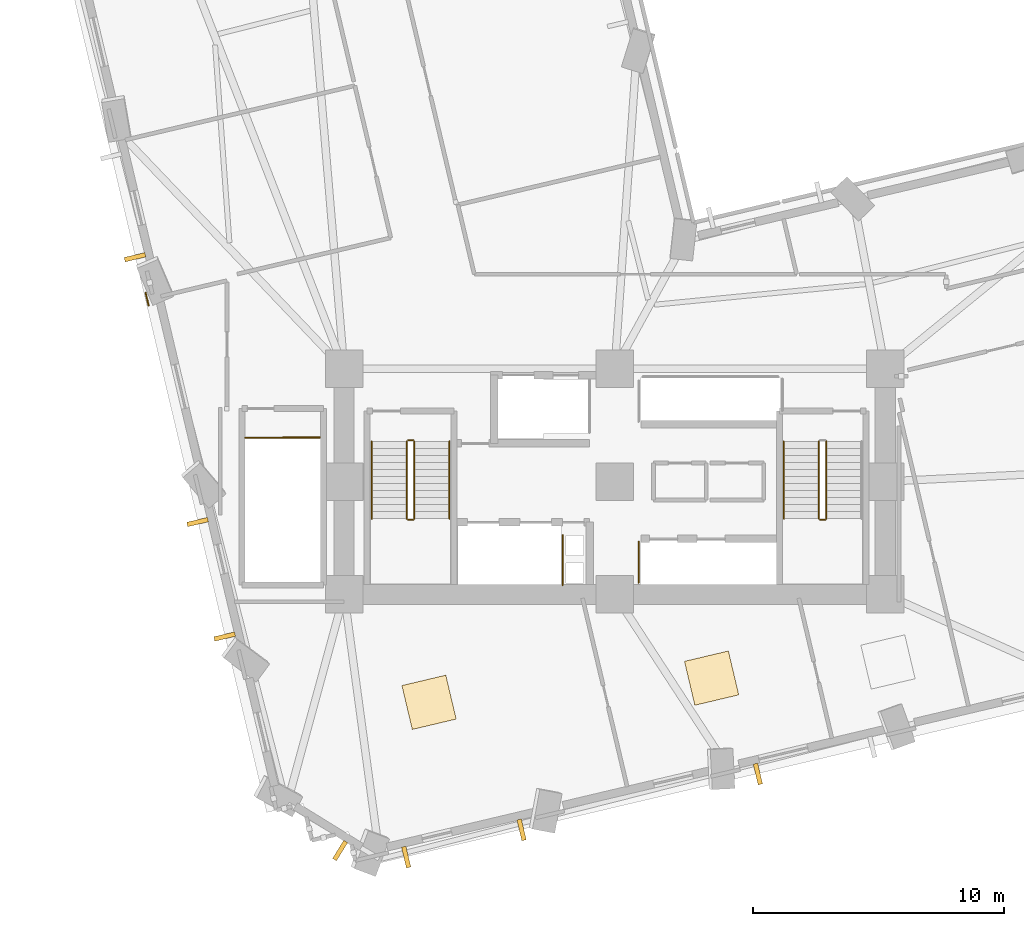
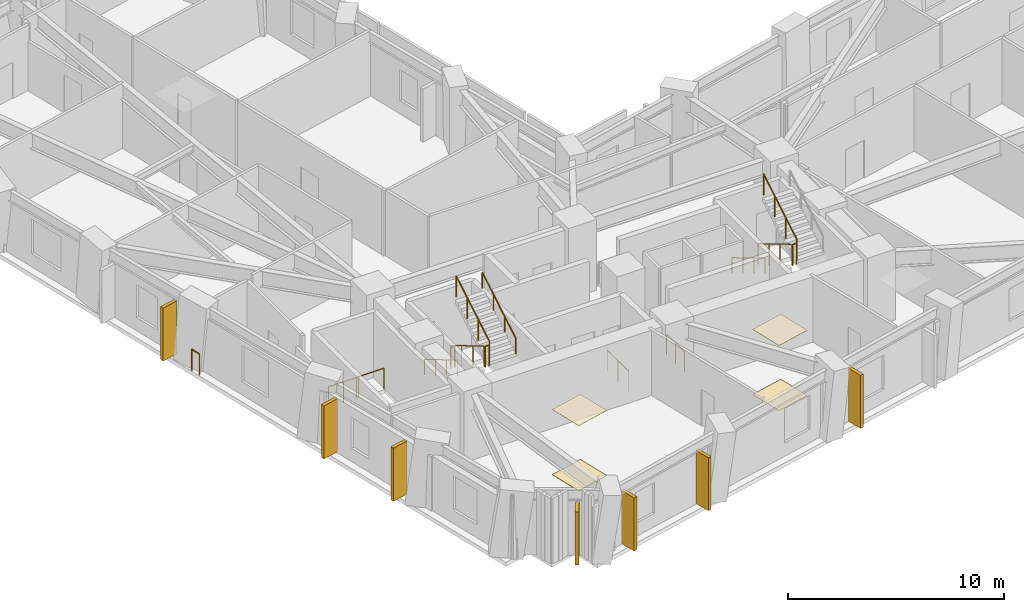
# One storey, part 11 of 14: 15 railings, 7 shading devices, 4 coverings.
"""IFC4 building model written with IfcOpenShell, lengths in metres."""

from ifc_helpers import new_model, si_unit, direction, frame, origin, origin_2d, place, context, subcontext, project, spatial, rectangle, circle, extrude, material, layer, layer_set, type_object, element, save


model = new_model("IFC4")

# Units and contexts
model_context = context("Model", 3, precision=1e-05, world=origin(), true_north=direction((0.0, 1.0)))
body_context = subcontext(model_context, "Body", "Model", "MODEL_VIEW")
ifc_project = project(units=[si_unit("LENGTHUNIT", "METRE"), si_unit("AREAUNIT", "SQUARE_METRE"), si_unit("VOLUMEUNIT", "CUBIC_METRE"), si_unit("PLANEANGLEUNIT", "RADIAN"), si_unit("MASSUNIT", "GRAM", prefix="KILO")], contexts=[model_context])

# Site, building, storey
site_placement = place(None, origin())
site = spatial("IfcSite", under=ifc_project, at=site_placement, CompositionType="ELEMENT")
building_placement = place(site_placement, origin())
building = spatial("IfcBuilding", under=site, at=building_placement, Name="Gaonmaruhae Medical Tower", CompositionType="ELEMENT")
storey_placement = place(building_placement, frame((0.0, 0.0, 79.0)))
storey = spatial("IfcBuildingStorey", under=building, at=storey_placement, Name="L18", CompositionType="ELEMENT", Elevation=79.0)

# Coverings
ifc_material_1 = material(Name="Acoustic mineral ceiling tile", Category="finish")
ifc_layer_1 = layer(ifc_material_1, 0.02490234375)
ifc_layer_set_1 = layer_set([ifc_layer_1], Name="Acoustic mineral ceiling tile")
covering_type_1 = type_object("IfcCoveringType", Name="CLG-01 Antimicrobial Acoustic Mineral Ceiling", PredefinedType="CEILING", material=ifc_layer_set_1)
for number, where, z_axis, x_axis, name in (
    (1, (17.38818359375, 3.4873046875, 3.675048828125), (0.0, 0.0, 1.0), (0.973178872777, 0.230049737188, 0.0), "L18 Clinical Room Acoustic Ceiling 2"),
    (2, (28.66845703125, 4.45361328125, 3.675048828125), (0.0, 0.0, 1.0), (0.973178872777, 0.230049737188, 0.0), "L18 Clinical Room Acoustic Ceiling 3"),
):
    element("IfcCovering", number, at=place(storey_placement, frame(where, z_axis=z_axis, x_axis=x_axis)), inside=storey, type_object=covering_type_1, Name=name, PredefinedType="CEILING", context=body_context, shape_type="SweptSolid", body=[
        extrude(rectangle(XDim=1.800048828125, YDim=1.800048828125, at=origin_2d()), origin(), (0.0, 0.0, 1.0), 0.02490234375),
    ])
ifc_material_2 = material(Name="Seamless clinical vinyl flooring", Category="finish")
ifc_layer_2 = layer(ifc_material_2, 0.014892578125)
ifc_layer_set_2 = layer_set([ifc_layer_2], Name="Seamless clinical vinyl flooring")
covering_type_2 = type_object("IfcCoveringType", Name="FLR-01 Seamless Clinical Antistatic Vinyl Flooring", PredefinedType="FLOORING", material=ifc_layer_set_2)
for number, where, z_axis, x_axis, name in (
    (3, (17.38818359375, 3.4873046875, 0.0), (0.0, 0.0, 1.0), (0.973178872777, 0.230049737188, 0.0), "L18 Clinical Room Vinyl Flooring 2"),
    (4, (28.66845703125, 4.45361328125, 0.0), (0.0, 0.0, 1.0), (0.973178872777, 0.230049737188, 0.0), "L18 Clinical Room Vinyl Flooring 3"),
):
    element("IfcCovering", number, at=place(storey_placement, frame(where, z_axis=z_axis, x_axis=x_axis)), inside=storey, type_object=covering_type_2, Name=name, PredefinedType="FLOORING", context=body_context, shape_type="SweptSolid", body=[
        extrude(rectangle(XDim=1.800048828125, YDim=1.800048828125, at=origin_2d()), origin(), (0.0, 0.0, 1.0), 0.014892578125),
    ])

# Railings
ifc_material_3 = material(Name="Stainless steel 316L and laminated safety glass", Category="steel")
ifc_layer_3 = layer(ifc_material_3, 0.080078125)
ifc_layer_set_3 = layer_set([ifc_layer_3], Name="Stainless steel 316L and laminated safety glass")
railing_type_1 = type_object("IfcRailingType", Name="GD-120 Outdoor Terrace Safety Glass & Steel Balustrade", PredefinedType="BALUSTRADE", material=ifc_layer_set_3)
railing_1_placement = place(storey_placement, frame((6.193603515625, 19.328857421875, 0.0)))
element("IfcRailing", 5, at=railing_1_placement, inside=storey, type_object=railing_type_1, Name="L18 Perimeter Slab Edge Safety Balustrade 01", PredefinedType="BALUSTRADE", context=body_context, shape_type="SweptSolid", body=[
    extrude(circle(Radius=0.02392578125, at=origin_2d()), frame((0.0, 0.0, 1.17578125), z_axis=(-0.230138679202, 0.973157843484, 0.0), x_axis=(-0.973157843484, -0.230138679202, 0.0)), (0.0, 0.0, 1.0), 0.519775390625),
    extrude(circle(Radius=0.02099609375, at=origin_2d()), origin(), (0.0, 0.0, 1.0), 1.15185546875),
    extrude(circle(Radius=0.02099609375, at=origin_2d()), frame((-0.11962890625, 0.505859375, 0.0)), (0.0, 0.0, 1.0), 1.15185546875),
])
ifc_material_4 = material(Name="Stainless steel 304 handrail", Category="steel")
railing_type_2 = type_object("IfcRailingType", Name="HR-092 Continuous Stainless Steel Stair Handrail", PredefinedType="HANDRAIL", material=ifc_material_4)
railing_2_placement = place(storey_placement, frame((15.10009765625, 13.89990234375, 0.166748046875)))
element("IfcRailing", 6, at=railing_2_placement, inside=storey, type_object=railing_type_2, Name="L18 ST-01 stair handrail 1", PredefinedType="HANDRAIL", context=body_context, shape_type="SweptSolid", body=[
    extrude(circle(Radius=0.02392578125, at=origin_2d()), frame((0.0, 0.0, 0.8759765625), z_axis=(0.0, -0.859290745958, 0.51148745235), x_axis=(1.0, 0.0, 0.0)), (0.0, 0.0, 1.0), 3.584228515625),
    extrude(circle(Radius=0.02099609375, at=origin_2d()), origin(), (0.0, 0.0, 1.0), 0.851806640625),
    extrude(circle(Radius=0.02099609375, at=origin_2d()), frame((0.0, -1.026611328125, 0.611083984375)), (0.0, 0.0, 1.0), 0.851806640625),
    extrude(circle(Radius=0.02099609375, at=origin_2d()), frame((0.0, -2.05322265625, 1.22216796875)), (0.0, 0.0, 1.0), 0.851806640625),
    extrude(circle(Radius=0.02099609375, at=origin_2d()), frame((0.0, -3.079833984375, 1.833251953125)), (0.0, 0.0, 1.0), 0.851806640625),
])
railing_3_placement = place(storey_placement, frame((18.199951171875, 10.820068359375, 2.166748046875)))
element("IfcRailing", 7, at=railing_3_placement, inside=storey, type_object=railing_type_2, Name="L18 ST-01 stair handrail 2", PredefinedType="HANDRAIL", context=body_context, shape_type="SweptSolid", body=[
    extrude(circle(Radius=0.02392578125, at=origin_2d()), frame((0.0, 0.0, 0.8759765625), z_axis=(0.0, 0.859290745958, 0.51148745235), x_axis=(-1.0, 0.0, 0.0)), (0.0, 0.0, 1.0), 3.584228515625),
    extrude(circle(Radius=0.02099609375, at=origin_2d()), origin(), (0.0, 0.0, 1.0), 0.851806640625),
    extrude(circle(Radius=0.02099609375, at=origin_2d()), frame((0.0, 1.026611328125, 0.611083984375)), (0.0, 0.0, 1.0), 0.851806640625),
    extrude(circle(Radius=0.02099609375, at=origin_2d()), frame((0.0, 2.05322265625, 1.22216796875)), (0.0, 0.0, 1.0), 0.851806640625),
    extrude(circle(Radius=0.02099609375, at=origin_2d()), frame((0.0, 3.079833984375, 1.833251953125)), (0.0, 0.0, 1.0), 0.851806640625),
])
railing_4_placement = place(storey_placement, frame((31.550048828125, 13.89990234375, 0.166748046875)))
element("IfcRailing", 8, at=railing_4_placement, inside=storey, type_object=railing_type_2, Name="L18 ST-02 stair handrail 1", PredefinedType="HANDRAIL", context=body_context, shape_type="SweptSolid", body=[
    extrude(circle(Radius=0.02392578125, at=origin_2d()), frame((0.0, 0.0, 0.8759765625), z_axis=(0.0, -0.859290745958, 0.51148745235), x_axis=(1.0, 0.0, 0.0)), (0.0, 0.0, 1.0), 3.584228515625),
    extrude(circle(Radius=0.02099609375, at=origin_2d()), origin(), (0.0, 0.0, 1.0), 0.851806640625),
    extrude(circle(Radius=0.02099609375, at=origin_2d()), frame((0.0, -1.026611328125, 0.611083984375)), (0.0, 0.0, 1.0), 0.851806640625),
    extrude(circle(Radius=0.02099609375, at=origin_2d()), frame((0.0, -2.05322265625, 1.22216796875)), (0.0, 0.0, 1.0), 0.851806640625),
    extrude(circle(Radius=0.02099609375, at=origin_2d()), frame((0.0, -3.079833984375, 1.833251953125)), (0.0, 0.0, 1.0), 0.851806640625),
])

# Shading devices
ifc_material_5 = material(Name="Pigmented coral precast concrete C45/55", Category="concrete")
shading_device_type = type_object("IfcShadingDeviceType", Name="SD-FIN1 Tower Vertical Coral Precast Shading Fin", PredefinedType="USERDEFINED", material=ifc_material_5)
for number, where, z_axis, x_axis, name in (
    (9, (21.08251953125, -1.602783203125, 0.04248046875), (0.0, 0.0, 1.0), (-0.973178872777, -0.230049737188, 0.0), "L18 Vertical Coral Precast Shading Fin S01"),
    (10, (16.47509765625, -2.69189453125, 0.04248046875), (0.0, 0.0, 1.0), (-0.973178872777, -0.230049737188, 0.0), "L18 Vertical Coral Precast Shading Fin S01B"),
    (11, (30.515625, 0.627197265625, 0.04248046875), (0.0, 0.0, 1.0), (-0.973174857504, -0.230066722329, 0.0), "L18 Vertical Coral Precast Shading Fin S03B"),
    (12, (5.65087890625, 21.25537109375, 0.04248046875), (0.0, 0.0, 1.0), (-0.230049737188, 0.973178872777, 0.0), "L18 Vertical Coral Precast Shading Fin W03"),
    (13, (9.230224609375, 6.11279296875, 0.04248046875), (0.0, 0.0, 1.0), (-0.230049737188, 0.973178872777, 0.0), "L18 Vertical Coral Precast Shading Fin W05"),
    (14, (8.14990234375, 10.68408203125, 0.04248046875), (0.0, 0.0, 1.0), (-0.230049737188, 0.973178872777, 0.0), "L18 Vertical Coral Precast Shading Fin W05B"),
    (15, (13.8388671875, -2.429931640625, 0.04248046875), (0.0, 0.0, 1.0), (-0.850811109424, 0.525471651072, 0.0), "L18 Vertical Coral Precast Shading Fin W07"),
):
    element("IfcShadingDevice", number, at=place(storey_placement, frame(where, z_axis=z_axis, x_axis=x_axis)), inside=storey, type_object=shading_device_type, Name=name, ObjectType="FIN", PredefinedType="USERDEFINED", context=body_context, shape_type="SweptSolid", body=[
        extrude(rectangle(XDim=0.179931640625, YDim=0.85009765625, at=origin_2d()), origin(), (0.0, 0.0, 1.0), 3.0),
    ])

# Railings
ifc_material_6 = material(Name="Stainless steel 304 balustrade", Category="steel")
railing_type_3 = type_object("IfcRailingType", Name="SG-112 Stair Well & Ramp Void Safety Balustrade", PredefinedType="BALUSTRADE", material=ifc_material_6)
railing_5_placement = place(storey_placement, frame((16.5, 13.89990234375, 0.166748046875)))
element("IfcRailing", 16, at=railing_5_placement, inside=storey, type_object=railing_type_3, Name="L18 ST-01 stair guard 1", PredefinedType="BALUSTRADE", context=body_context, shape_type="SweptSolid", body=[
    extrude(circle(Radius=0.02392578125, at=origin_2d()), frame((0.0, 0.0, 1.17578125), z_axis=(0.0, -0.859290745958, 0.51148745235), x_axis=(1.0, 0.0, 0.0)), (0.0, 0.0, 1.0), 3.584228515625),
    extrude(circle(Radius=0.02099609375, at=origin_2d()), origin(), (0.0, 0.0, 1.0), 1.15185546875),
    extrude(circle(Radius=0.02099609375, at=origin_2d()), frame((0.0, -1.026611328125, 0.611083984375)), (0.0, 0.0, 1.0), 1.15185546875),
    extrude(circle(Radius=0.02099609375, at=origin_2d()), frame((0.0, -2.05322265625, 1.22216796875)), (0.0, 0.0, 1.0), 1.15185546875),
    extrude(circle(Radius=0.02099609375, at=origin_2d()), frame((0.0, -3.079833984375, 1.833251953125)), (0.0, 0.0, 1.0), 1.15185546875),
])
railing_6_placement = place(storey_placement, frame((16.550048828125, 10.77001953125, 2.0)))
element("IfcRailing", 17, at=railing_6_placement, inside=storey, type_object=railing_type_3, Name="L18 ST-01 stair guard 2", PredefinedType="BALUSTRADE", context=body_context, shape_type="SweptSolid", body=[
    extrude(circle(Radius=0.02392578125, at=origin_2d()), frame((0.0, 0.0, 1.17578125), z_axis=(1.0, 0.0, 0.0), x_axis=(0.0, 1.0, 0.0)), (0.0, 0.0, 1.0), 0.199951171875),
    extrude(circle(Radius=0.02099609375, at=origin_2d()), origin(), (0.0, 0.0, 1.0), 1.15185546875),
    extrude(circle(Radius=0.02099609375, at=origin_2d()), frame((0.199951171875, 0.0, 0.0)), (0.0, 0.0, 1.0), 1.15185546875),
])
railing_7_placement = place(storey_placement, frame((16.800048828125, 10.820068359375, 2.166748046875)))
element("IfcRailing", 18, at=railing_7_placement, inside=storey, type_object=railing_type_3, Name="L18 ST-01 stair guard 3", PredefinedType="BALUSTRADE", context=body_context, shape_type="SweptSolid", body=[
    extrude(circle(Radius=0.02392578125, at=origin_2d()), frame((0.0, 0.0, 1.17578125), z_axis=(0.0, 0.859290745958, 0.51148745235), x_axis=(-1.0, 0.0, 0.0)), (0.0, 0.0, 1.0), 3.584228515625),
    extrude(circle(Radius=0.02099609375, at=origin_2d()), origin(), (0.0, 0.0, 1.0), 1.15185546875),
    extrude(circle(Radius=0.02099609375, at=origin_2d()), frame((0.0, 1.026611328125, 0.611083984375)), (0.0, 0.0, 1.0), 1.15185546875),
    extrude(circle(Radius=0.02099609375, at=origin_2d()), frame((0.0, 2.05322265625, 1.22216796875)), (0.0, 0.0, 1.0), 1.15185546875),
    extrude(circle(Radius=0.02099609375, at=origin_2d()), frame((0.0, 3.079833984375, 1.833251953125)), (0.0, 0.0, 1.0), 1.15185546875),
])
railing_8_placement = place(storey_placement, frame((16.550048828125, 13.949951171875, 0.0)))
element("IfcRailing", 19, at=railing_8_placement, inside=storey, type_object=railing_type_3, Name="L18 ST-01 stair guard 4", PredefinedType="BALUSTRADE", context=body_context, shape_type="SweptSolid", body=[
    extrude(circle(Radius=0.02392578125, at=origin_2d()), frame((0.0, 0.0, 1.17578125), z_axis=(1.0, 0.0, 0.0), x_axis=(0.0, 1.0, 0.0)), (0.0, 0.0, 1.0), 0.199951171875),
    extrude(circle(Radius=0.02099609375, at=origin_2d()), origin(), (0.0, 0.0, 1.0), 1.15185546875),
    extrude(circle(Radius=0.02099609375, at=origin_2d()), frame((0.199951171875, 0.0, 0.0)), (0.0, 0.0, 1.0), 1.15185546875),
])
railing_9_placement = place(storey_placement, frame((32.949951171875, 13.89990234375, 0.166748046875)))
element("IfcRailing", 20, at=railing_9_placement, inside=storey, type_object=railing_type_3, Name="L18 ST-02 stair guard 1", PredefinedType="BALUSTRADE", context=body_context, shape_type="SweptSolid", body=[
    extrude(circle(Radius=0.02392578125, at=origin_2d()), frame((0.0, 0.0, 1.17578125), z_axis=(0.0, -0.859290745958, 0.51148745235), x_axis=(1.0, 0.0, 0.0)), (0.0, 0.0, 1.0), 3.584228515625),
    extrude(circle(Radius=0.02099609375, at=origin_2d()), origin(), (0.0, 0.0, 1.0), 1.15185546875),
    extrude(circle(Radius=0.02099609375, at=origin_2d()), frame((0.0, -1.026611328125, 0.611083984375)), (0.0, 0.0, 1.0), 1.15185546875),
    extrude(circle(Radius=0.02099609375, at=origin_2d()), frame((0.0, -2.05322265625, 1.22216796875)), (0.0, 0.0, 1.0), 1.15185546875),
    extrude(circle(Radius=0.02099609375, at=origin_2d()), frame((0.0, -3.079833984375, 1.833251953125)), (0.0, 0.0, 1.0), 1.15185546875),
])
railing_10_placement = place(storey_placement, frame((33.0, 10.77001953125, 2.0)))
element("IfcRailing", 21, at=railing_10_placement, inside=storey, type_object=railing_type_3, Name="L18 ST-02 stair guard 2", PredefinedType="BALUSTRADE", context=body_context, shape_type="SweptSolid", body=[
    extrude(circle(Radius=0.02392578125, at=origin_2d()), frame((0.0, 0.0, 1.17578125), z_axis=(1.0, 0.0, 0.0), x_axis=(0.0, 1.0, 0.0)), (0.0, 0.0, 1.0), 0.199951171875),
    extrude(circle(Radius=0.02099609375, at=origin_2d()), origin(), (0.0, 0.0, 1.0), 1.15185546875),
    extrude(circle(Radius=0.02099609375, at=origin_2d()), frame((0.199951171875, 0.0, 0.0)), (0.0, 0.0, 1.0), 1.15185546875),
])
railing_11_placement = place(storey_placement, frame((33.25, 10.820068359375, 2.166748046875)))
element("IfcRailing", 22, at=railing_11_placement, inside=storey, type_object=railing_type_3, Name="L18 ST-02 stair guard 3", PredefinedType="BALUSTRADE", context=body_context, shape_type="SweptSolid", body=[
    extrude(circle(Radius=0.02392578125, at=origin_2d()), frame((0.0, 0.0, 1.17578125), z_axis=(0.0, 0.859290745958, 0.51148745235), x_axis=(-1.0, 0.0, 0.0)), (0.0, 0.0, 1.0), 3.584228515625),
    extrude(circle(Radius=0.02099609375, at=origin_2d()), origin(), (0.0, 0.0, 1.0), 1.15185546875),
    extrude(circle(Radius=0.02099609375, at=origin_2d()), frame((0.0, 1.026611328125, 0.611083984375)), (0.0, 0.0, 1.0), 1.15185546875),
    extrude(circle(Radius=0.02099609375, at=origin_2d()), frame((0.0, 2.05322265625, 1.22216796875)), (0.0, 0.0, 1.0), 1.15185546875),
    extrude(circle(Radius=0.02099609375, at=origin_2d()), frame((0.0, 3.079833984375, 1.833251953125)), (0.0, 0.0, 1.0), 1.15185546875),
])
railing_12_placement = place(storey_placement, frame((10.050048828125, 14.050048828125, 0.0)))
element("IfcRailing", 23, at=railing_12_placement, inside=storey, type_object=railing_type_3, Name="L18 ST-03 top well guard 1", PredefinedType="BALUSTRADE", context=body_context, shape_type="SweptSolid", body=[
    extrude(circle(Radius=0.02392578125, at=origin_2d()), frame((0.0, 0.0, 1.17578125), z_axis=(1.0, 0.0, 0.0), x_axis=(0.0, 1.0, 0.0)), (0.0, 0.0, 1.0), 1.599853515625),
    extrude(circle(Radius=0.02099609375, at=origin_2d()), origin(), (0.0, 0.0, 1.0), 1.15185546875),
    extrude(circle(Radius=0.02099609375, at=origin_2d()), frame((0.7998046875, 0.0, 0.0)), (0.0, 0.0, 1.0), 1.15185546875),
    extrude(circle(Radius=0.02099609375, at=origin_2d()), frame((1.599853515625, 0.0, 0.0)), (0.0, 0.0, 1.0), 1.15185546875),
])
railing_13_placement = place(storey_placement, frame((25.7548828125, 8.27001953125, 0.0)))
element("IfcRailing", 24, at=railing_13_placement, inside=storey, type_object=railing_type_3, Name="L18 Shaft Edge Safety Guard 07", PredefinedType="BALUSTRADE", context=body_context, shape_type="SweptSolid", body=[
    extrude(circle(Radius=0.02392578125, at=origin_2d()), frame((0.0, 0.0, 1.17578125), z_axis=(0.0, 1.0, 0.0), x_axis=(-1.0, 0.0, 0.0)), (0.0, 0.0, 1.0), 1.635009765625),
    extrude(circle(Radius=0.02099609375, at=origin_2d()), origin(), (0.0, 0.0, 1.0), 1.15185546875),
    extrude(circle(Radius=0.02099609375, at=origin_2d()), frame((0.0, 0.8173828125, 0.0)), (0.0, 0.0, 1.0), 1.15185546875),
    extrude(circle(Radius=0.02099609375, at=origin_2d()), frame((0.0, 1.635009765625, 0.0)), (0.0, 0.0, 1.0), 1.15185546875),
])
railing_14_placement = place(storey_placement, frame((22.719970703125, 10.159912109375, 0.0)))
element("IfcRailing", 25, at=railing_14_placement, inside=storey, type_object=railing_type_3, Name="L18 Shaft Edge Safety Guard 08", PredefinedType="BALUSTRADE", context=body_context, shape_type="SweptSolid", body=[
    extrude(circle(Radius=0.02392578125, at=origin_2d()), frame((0.0, 0.0, 1.17578125), z_axis=(0.0, -1.0, 0.0), x_axis=(1.0, 0.0, 0.0)), (0.0, 0.0, 1.0), 1.994873046875),
    extrude(circle(Radius=0.02099609375, at=origin_2d()), origin(), (0.0, 0.0, 1.0), 1.15185546875),
    extrude(circle(Radius=0.02099609375, at=origin_2d()), frame((0.0, -0.99755859375, 0.0)), (0.0, 0.0, 1.0), 1.15185546875),
    extrude(circle(Radius=0.02099609375, at=origin_2d()), frame((0.0, -1.994873046875, 0.0)), (0.0, 0.0, 1.0), 1.15185546875),
])
railing_15_placement = place(storey_placement, frame((11.55810546875, 14.06005859375, 0.0)))
element("IfcRailing", 26, at=railing_15_placement, inside=storey, type_object=railing_type_3, Name="L18 Shaft Edge Safety Guard 09", PredefinedType="BALUSTRADE", context=body_context, shape_type="SweptSolid", body=[
    extrude(circle(Radius=0.02392578125, at=origin_2d()), frame((0.0, 0.0, 1.17578125), z_axis=(1.0, 0.0, 0.0), x_axis=(0.0, 1.0, 0.0)), (0.0, 0.0, 1.0), 1.471923828125),
    extrude(circle(Radius=0.02099609375, at=origin_2d()), origin(), (0.0, 0.0, 1.0), 1.15185546875),
    extrude(circle(Radius=0.02099609375, at=origin_2d()), frame((1.471923828125, 0.0, 0.0)), (0.0, 0.0, 1.0), 1.15185546875),
])

save(model, "model.ifc")
